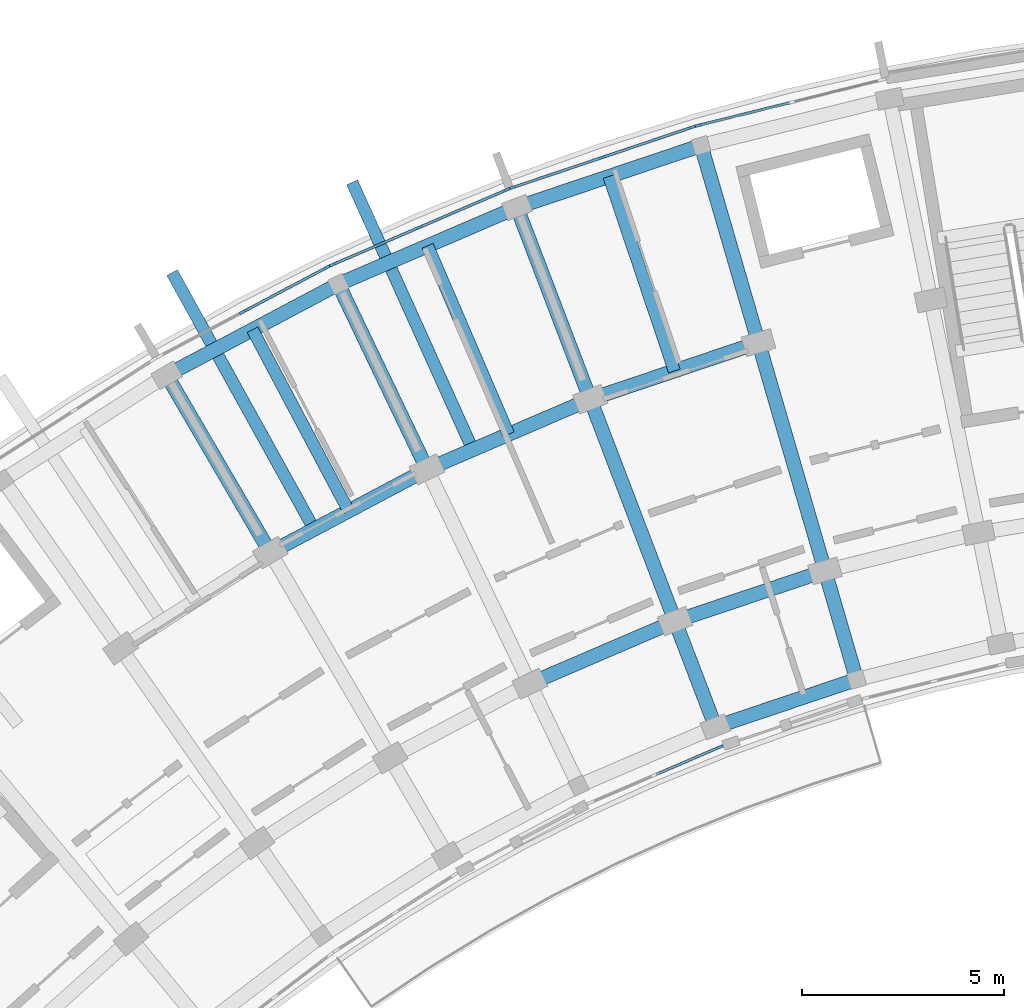
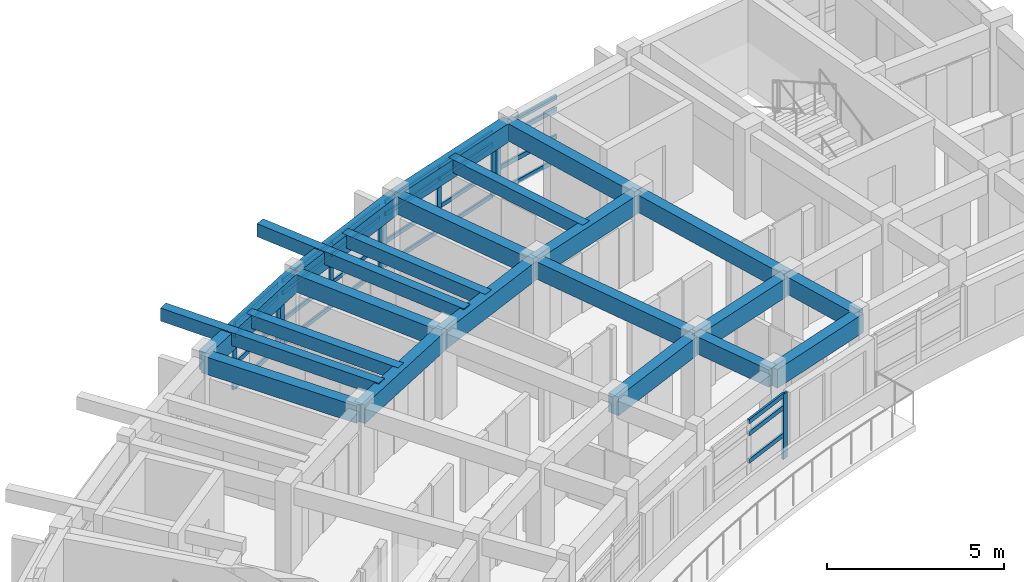
# One storey, part 5 of 54: 37 members, 22 beams, 5 elements without a shape of their own.
"""IFC4 building model written with IfcOpenShell, lengths in metres."""

from ifc_helpers import new_model, si_unit, direction, frame, origin, origin_2d, place, context, subcontext, project, spatial, rectangle, extrude, material, material_profile, profile_set, type_object, element, aggregate, save


model = new_model("IFC4")

# Units and contexts
model_context = context("Model", 3, precision=1e-05, world=origin(), true_north=direction((0.0, 1.0)))
body_context = subcontext(model_context, "Body", "Model", "MODEL_VIEW")
ifc_project = project(units=[si_unit("LENGTHUNIT", "METRE"), si_unit("AREAUNIT", "SQUARE_METRE"), si_unit("VOLUMEUNIT", "CUBIC_METRE"), si_unit("PLANEANGLEUNIT", "RADIAN"), si_unit("MASSUNIT", "GRAM", prefix="KILO")], contexts=[model_context])

# Site, building, storey
site_placement = place(None, origin())
site = spatial("IfcSite", under=ifc_project, at=site_placement, CompositionType="ELEMENT")
building_placement = place(site_placement, origin())
building = spatial("IfcBuilding", under=site, at=building_placement, Name="Zimvara Arc Housing Community", CompositionType="ELEMENT")
storey_placement = place(building_placement, frame((0.0, 0.0, 23.60009765625)))
storey = spatial("IfcBuildingStorey", under=building, at=storey_placement, Name="L07", CompositionType="ELEMENT", Elevation=23.60009765625)

# Beams
ifc_material_1 = material(Name="Concrete C40/50", Category="concrete")
ifc_material_profile_1 = material_profile(ifc_material_1, rectangle(XDim=0.300048828125, YDim=0.449951171875, at=origin_2d()), Name="RC 300x450")
ifc_profile_set_1 = profile_set([ifc_material_profile_1], Name="Concrete C40/50")
beam_type_1 = type_object("IfcBeamType", Name="BM-RC-300x450", PredefinedType="JOIST", material=ifc_profile_set_1)
beam_1_placement = place(storey_placement, frame((19.813232421875, 91.9892578125, 2.635009765625), z_axis=(-0.46853732736, 0.883443701019, 0.0), x_axis=(-0.883443701019, -0.46853732736, 0.0)))
element("IfcBeam", 1, at=beam_1_placement, inside=storey, type_object=beam_type_1, Name="bm:blkA:L07:joist:b4", PredefinedType="JOIST", context=body_context, shape_type="SweptSolid", body=[
    extrude(rectangle(XDim=0.300048828125, YDim=0.449951171875, at=origin_2d()), origin(), (0.0, 0.0, 1.0), 5.07568359375),
])
beam_2_placement = place(storey_placement, frame((23.77197265625, 93.885986328125, 2.635009765625), z_axis=(-0.394929109608, 0.918711596958, 0.0), x_axis=(-0.918711596958, -0.394929109608, 0.0)))
element("IfcBeam", 2, at=beam_2_placement, inside=storey, type_object=beam_type_1, Name="bm:blkA:L07:joist:b5", PredefinedType="JOIST", context=body_context, shape_type="SweptSolid", body=[
    extrude(rectangle(XDim=0.300048828125, YDim=0.449951171875, at=origin_2d()), origin(), (0.0, 0.0, 1.0), 5.075927734375),
])
beam_3_placement = place(storey_placement, frame((27.8720703125, 95.453369140625, 2.635009765625), z_axis=(-0.318607669836, 0.947886677152, 0.0), x_axis=(-0.947886677152, -0.318607669836, 0.0)))
element("IfcBeam", 3, at=beam_3_placement, inside=storey, type_object=beam_type_1, Name="bm:blkA:L07:joist:b6", PredefinedType="JOIST", context=body_context, shape_type="SweptSolid", body=[
    extrude(rectangle(XDim=0.300048828125, YDim=0.449951171875, at=origin_2d()), origin(), (0.0, 0.0, 1.0), 5.07568359375),
])
for number, where, z_axis, x_axis, name in (
    (4, (18.942138671875, 91.568359375, 2.664794921875), (-0.4843274379, 0.874886811477, 0.0), (-0.874886811477, -0.4843274379, 0.0), "bm:blkA:L07:cant_out:b4"),
    (5, (22.869384765625, 93.53759765625, 2.664794921875), (-0.411355676266, 0.91147490783, 0.0), (-0.91147490783, -0.411355676266, 0.0), "bm:blkA:L07:cant_out:b5"),
):
    element("IfcBeam", number, at=place(storey_placement, frame(where, z_axis=z_axis, x_axis=x_axis)), inside=storey, type_object=beam_type_1, Name=name, PredefinedType="JOIST", context=body_context, shape_type="SweptSolid", body=[
        extrude(rectangle(XDim=0.300048828125, YDim=0.449951171875, at=origin_2d()), origin(), (0.0, 0.0, 1.0), 7.219970703125),
    ])
ifc_material_2 = material(Name="Concrete C40/50", Category="concrete")
ifc_material_profile_2 = material_profile(ifc_material_2, rectangle(XDim=0.35009765625, YDim=0.60009765625, at=origin_2d()), Name="RC 350x600")
ifc_profile_set_2 = profile_set([ifc_material_profile_2], Name="Concrete C40/50")
beam_type_2 = type_object("IfcBeamType", Name="BM-RC-350x600", PredefinedType="BEAM", material=ifc_profile_set_2)
beam_4_placement = place(storey_placement, frame((17.87255859375, 90.960205078125, 2.559814453125), z_axis=(-0.504196701544, 0.863588840915, 0.0), x_axis=(-0.863588840915, -0.504196701544, 0.0)))
element("IfcBeam", 6, at=beam_4_placement, inside=storey, type_object=beam_type_2, Name="bm:blkA:L07:rad:b4:r23", PredefinedType="BEAM", context=body_context, shape_type="SweptSolid", body=[
    extrude(rectangle(XDim=0.35009765625, YDim=0.60009765625, at=origin_2d()), origin(), (0.0, 0.0, 1.0), 5.079833984375),
])
beam_5_placement = place(storey_placement, frame((21.75390625, 93.0185546875, 2.559814453125), z_axis=(-0.432098194978, 0.901826563091, 0.0), x_axis=(-0.901826563091, -0.432098194978, 0.0)))
element("IfcBeam", 7, at=beam_5_placement, inside=storey, type_object=beam_type_2, Name="bm:blkA:L07:rad:b5:r23", PredefinedType="BEAM", context=body_context, shape_type="SweptSolid", body=[
    extrude(rectangle(XDim=0.35009765625, YDim=0.60009765625, at=origin_2d()), origin(), (0.0, 0.0, 1.0), 5.080078125),
])
beam_6_placement = place(storey_placement, frame((28.88916015625, 86.645751953125, 2.559814453125), z_axis=(-0.357079289134, 0.934074076972, 0.0), x_axis=(-0.934074076972, -0.357079289134, 0.0)))
element("IfcBeam", 8, at=beam_6_placement, inside=storey, type_object=beam_type_2, Name="bm:blkA:L07:rad:b6:r01", PredefinedType="BEAM", context=body_context, shape_type="SweptSolid", body=[
    extrude(rectangle(XDim=0.35009765625, YDim=0.60009765625, at=origin_2d()), origin(), (0.0, 0.0, 1.0), 2.7998046875),
])
beam_7_placement = place(storey_placement, frame((27.889404296875, 89.260986328125, 2.559814453125), z_axis=(-0.357036247742, 0.934090529766, 0.0), x_axis=(-0.934090529766, -0.357036247742, 0.0)))
element("IfcBeam", 9, at=beam_7_placement, inside=storey, type_object=beam_type_2, Name="bm:blkA:L07:rad:b6:r12", PredefinedType="BEAM", context=body_context, shape_type="SweptSolid", body=[
    extrude(rectangle(XDim=0.35009765625, YDim=0.60009765625, at=origin_2d()), origin(), (0.0, 0.0, 1.0), 5.8798828125),
])
beam_8_placement = place(storey_placement, frame((25.7900390625, 94.75341796875, 2.559814453125), z_axis=(-0.357078271386, 0.934074466038, 0.0), x_axis=(-0.934074466038, -0.357078271386, 0.0)))
element("IfcBeam", 10, at=beam_8_placement, inside=storey, type_object=beam_type_2, Name="bm:blkA:L07:rad:b6:r23", PredefinedType="BEAM", context=body_context, shape_type="SweptSolid", body=[
    extrude(rectangle(XDim=0.35009765625, YDim=0.60009765625, at=origin_2d()), origin(), (0.0, 0.0, 1.0), 5.080078125),
])
beam_9_placement = place(storey_placement, frame((32.381591796875, 87.819580078125, 2.559814453125), z_axis=(-0.279635015525, 0.960106378529, 0.0), x_axis=(-0.960106378529, -0.279635015525, 0.0)))
element("IfcBeam", 11, at=beam_9_placement, inside=storey, type_object=beam_type_2, Name="bm:blkA:L07:rad:b7:r01", PredefinedType="BEAM", context=body_context, shape_type="SweptSolid", body=[
    extrude(rectangle(XDim=0.35009765625, YDim=0.60009765625, at=origin_2d()), origin(), (0.0, 0.0, 1.0), 2.800048828125),
])
beam_10_placement = place(storey_placement, frame((31.5986328125, 90.5078125, 2.559814453125), z_axis=(-0.27967473749, 0.960094808449, 0.0), x_axis=(-0.960094808449, -0.27967473749, 0.0)))
element("IfcBeam", 12, at=beam_10_placement, inside=storey, type_object=beam_type_2, Name="bm:blkA:L07:rad:b7:r12", PredefinedType="BEAM", context=body_context, shape_type="SweptSolid", body=[
    extrude(rectangle(XDim=0.35009765625, YDim=0.60009765625, at=origin_2d()), origin(), (0.0, 0.0, 1.0), 5.880126953125),
])
beam_11_placement = place(storey_placement, frame((29.9541015625, 96.1533203125, 2.559814453125), z_axis=(-0.279662254096, 0.960098444762, 0.0), x_axis=(-0.960098444762, -0.279662254096, 0.0)))
element("IfcBeam", 13, at=beam_11_placement, inside=storey, type_object=beam_type_2, Name="bm:blkA:L07:rad:b7:r23", PredefinedType="BEAM", context=body_context, shape_type="SweptSolid", body=[
    extrude(rectangle(XDim=0.35009765625, YDim=0.60009765625, at=origin_2d()), origin(), (0.0, 0.0, 1.0), 5.079833984375),
])
ifc_material_3 = material(Name="Concrete C40/50", Category="concrete")
ifc_material_profile_3 = material_profile(ifc_material_3, rectangle(XDim=0.35009765625, YDim=0.64990234375, at=origin_2d()), Name="RC 350x650")
ifc_profile_set_3 = profile_set([ifc_material_profile_3], Name="Concrete C40/50")
beam_type_3 = type_object("IfcBeamType", Name="BM-RC-350x650", PredefinedType="BEAM", material=ifc_profile_set_3)
beam_12_placement = place(storey_placement, frame((28.88916015625, 86.645751953125, 2.534912109375), z_axis=(0.94789181932, 0.31859237101, 0.0), x_axis=(-0.31859237101, 0.94789181932, 0.0)))
element("IfcBeam", 14, at=beam_12_placement, inside=storey, type_object=beam_type_3, Name="bm:blkA:L07:chord:r0:b6", PredefinedType="BEAM", context=body_context, shape_type="SweptSolid", body=[
    extrude(rectangle(XDim=0.35009765625, YDim=0.64990234375, at=origin_2d()), origin(), (0.0, 0.0, 1.0), 3.684326171875),
])
for number, where, z_axis, x_axis, name in (
    (15, (24.29443359375, 87.7158203125, 2.534912109375), (0.91873144242, 0.394882940514, 0.0), (-0.394882940514, 0.91873144242, 0.0), "bm:blkA:L07:chord:r1:b5"),
    (16, (27.889404296875, 89.260986328125, 2.534912109375), (0.947881689069, 0.31862250945, 0.0), (-0.31862250945, 0.947881689069, 0.0), "bm:blkA:L07:chord:r1:b6"),
):
    element("IfcBeam", number, at=place(storey_placement, frame(where, z_axis=z_axis, x_axis=x_axis)), inside=storey, type_object=beam_type_3, Name=name, PredefinedType="BEAM", context=body_context, shape_type="SweptSolid", body=[
        extrude(rectangle(XDim=0.35009765625, YDim=0.64990234375, at=origin_2d()), origin(), (0.0, 0.0, 1.0), 3.9130859375),
    ])
for number, where, z_axis, x_axis, name in (
    (17, (17.87255859375, 90.960205078125, 2.534912109375), (0.883456526058, 0.468513144496, 0.0), (-0.468513144496, 0.883456526058, 0.0), "bm:blkA:L07:chord:r2:b4"),
    (18, (21.75390625, 93.0185546875, 2.534912109375), (0.918724840088, 0.394898301093, 0.0), (-0.394898301093, 0.918724840088, 0.0), "bm:blkA:L07:chord:r2:b5"),
):
    element("IfcBeam", number, at=place(storey_placement, frame(where, z_axis=z_axis, x_axis=x_axis)), inside=storey, type_object=beam_type_3, Name=name, PredefinedType="BEAM", context=body_context, shape_type="SweptSolid", body=[
        extrude(rectangle(XDim=0.35009765625, YDim=0.64990234375, at=origin_2d()), origin(), (0.0, 0.0, 1.0), 4.393310546875),
    ])
beam_13_placement = place(storey_placement, frame((25.7900390625, 94.75341796875, 2.534912109375), z_axis=(0.947868796036, 0.318660862832, 0.0), x_axis=(-0.318660862832, 0.947868796036, 0.0)))
element("IfcBeam", 19, at=beam_13_placement, inside=storey, type_object=beam_type_3, Name="bm:blkA:L07:chord:r2:b6", PredefinedType="BEAM", context=body_context, shape_type="SweptSolid", body=[
    extrude(rectangle(XDim=0.35009765625, YDim=0.64990234375, at=origin_2d()), origin(), (0.0, 0.0, 1.0), 4.39306640625),
])
beam_14_placement = place(storey_placement, frame((15.311279296875, 95.34716796875, 2.534912109375), z_axis=(0.883445542299, 0.468533855546, 0.0), x_axis=(-0.468533855546, 0.883445542299, 0.0)))
element("IfcBeam", 20, at=beam_14_placement, inside=storey, type_object=beam_type_3, Name="bm:blkA:L07:chord:r3:b4", PredefinedType="BEAM", context=body_context, shape_type="SweptSolid", body=[
    extrude(rectangle(XDim=0.35009765625, YDim=0.64990234375, at=origin_2d()), origin(), (0.0, 0.0, 1.0), 4.807861328125),
])
beam_15_placement = place(storey_placement, frame((19.558837890625, 97.599853515625, 2.534912109375), z_axis=(0.918724276228, 0.394899612901, 0.0), x_axis=(-0.394899612901, 0.918724276228, 0.0)))
element("IfcBeam", 21, at=beam_15_placement, inside=storey, type_object=beam_type_3, Name="bm:blkA:L07:chord:r3:b5", PredefinedType="BEAM", context=body_context, shape_type="SweptSolid", body=[
    extrude(rectangle(XDim=0.35009765625, YDim=0.64990234375, at=origin_2d()), origin(), (0.0, 0.0, 1.0), 4.80810546875),
])
beam_16_placement = place(storey_placement, frame((23.97607421875, 99.49853515625, 2.534912109375), z_axis=(0.947877948153, 0.31863363822, 0.0), x_axis=(-0.31863363822, 0.947877948153, 0.0)))
element("IfcBeam", 22, at=beam_16_placement, inside=storey, type_object=beam_type_3, Name="bm:blkA:L07:chord:r3:b6", PredefinedType="BEAM", context=body_context, shape_type="SweptSolid", body=[
    extrude(rectangle(XDim=0.35009765625, YDim=0.64990234375, at=origin_2d()), origin(), (0.0, 0.0, 1.0), 4.807861328125),
])

# Curtain wall, members
ifc_material_4 = material(Name="Anodised Aluminium AW-6063", Category="aluminium")
curtain_wall_type_1 = type_object("IfcCurtainWallType", Name="CW-SYS-06", PredefinedType="USERDEFINED", material=ifc_material_4)
curtain_wall_1_placement = place(storey_placement, origin())
curtain_wall_1 = element("IfcCurtainWall", 23, at=curtain_wall_1_placement, inside=storey, type_object=curtain_wall_type_1, Name="cw:blkA:L07:out:b5", ObjectType="CURTAIN WALL", PredefinedType="USERDEFINED")
ifc_material_5 = material(Name="Anodised Aluminium AW-6063", Category="aluminium")
ifc_material_profile_4 = material_profile(ifc_material_5, rectangle(XDim=0.06494140625, YDim=0.179931640625, at=origin_2d()), Name="ALU 65x180")
ifc_profile_set_4 = profile_set([ifc_material_profile_4], Name="Anodised Aluminium AW-6063")
member_type_1 = type_object("IfcMemberType", Name="CWM-65x150", PredefinedType="MULLION", material=ifc_profile_set_4)
member_1_placement = place(storey_placement, frame((19.427734375, 98.08740234375, 0.0), z_axis=(0.0, 0.0, 1.0), x_axis=(-0.394904211998, 0.918722299363, 0.0)))
member_1 = element("IfcMember", 24, at=member_1_placement, type_object=member_type_1, Name="CW06 mullion 1", PredefinedType="MULLION", context=body_context, shape_type="SweptSolid", body=[
    extrude(rectangle(XDim=0.06494140625, YDim=0.179931640625, at=origin_2d()), origin(), (0.0, 0.0, 1.0), 2.25),
])
member_2_placement = place(storey_placement, frame((21.570068359375, 99.00830078125, 0.0), z_axis=(0.0, 0.0, 1.0), x_axis=(-0.394904211998, 0.918722299363, 0.0)))
member_2 = element("IfcMember", 25, at=member_2_placement, type_object=member_type_1, Name="CW06 mullion 2", PredefinedType="MULLION", context=body_context, shape_type="SweptSolid", body=[
    extrude(rectangle(XDim=0.06494140625, YDim=0.179931640625, at=origin_2d()), origin(), (0.0, 0.0, 1.0), 2.25),
])
member_3_placement = place(storey_placement, frame((23.712646484375, 99.92919921875, 0.0), z_axis=(0.0, 0.0, 1.0), x_axis=(-0.394904211998, 0.918722299363, 0.0)))
member_3 = element("IfcMember", 26, at=member_3_placement, type_object=member_type_1, Name="CW06 mullion 3", PredefinedType="MULLION", context=body_context, shape_type="SweptSolid", body=[
    extrude(rectangle(XDim=0.06494140625, YDim=0.179931640625, at=origin_2d()), origin(), (0.0, 0.0, 1.0), 2.25),
])

ifc_material_6 = material(Name="Anodised Aluminium AW-6063", Category="aluminium")
curtain_wall_type_2 = type_object("IfcCurtainWallType", Name="CW-SYS-08", PredefinedType="USERDEFINED", material=ifc_material_6)
curtain_wall_2_placement = place(storey_placement, origin())
curtain_wall_2 = element("IfcCurtainWall", 27, at=curtain_wall_2_placement, inside=storey, type_object=curtain_wall_type_2, Name="cw:blkA:L07:out:b6", ObjectType="CURTAIN WALL", PredefinedType="USERDEFINED")
member_4_placement = place(storey_placement, frame((23.88525390625, 99.9951171875, 0.0), z_axis=(0.0, 0.0, 1.0), x_axis=(-0.318628583921, 0.947879647164, 0.0)))
member_4 = element("IfcMember", 28, at=member_4_placement, type_object=member_type_1, Name="CW08 mullion 1", PredefinedType="MULLION", context=body_context, shape_type="SweptSolid", body=[
    extrude(rectangle(XDim=0.06494140625, YDim=0.179931640625, at=origin_2d()), origin(), (0.0, 0.0, 1.0), 2.25),
])
member_5_placement = place(storey_placement, frame((26.095703125, 100.73828125, 0.0), z_axis=(0.0, 0.0, 1.0), x_axis=(-0.318628583921, 0.947879647164, 0.0)))
member_5 = element("IfcMember", 29, at=member_5_placement, type_object=member_type_1, Name="CW08 mullion 2", PredefinedType="MULLION", context=body_context, shape_type="SweptSolid", body=[
    extrude(rectangle(XDim=0.06494140625, YDim=0.179931640625, at=origin_2d()), origin(), (0.0, 0.0, 1.0), 2.25),
])
member_6_placement = place(storey_placement, frame((28.305908203125, 101.481201171875, 0.0), z_axis=(0.0, 0.0, 1.0), x_axis=(-0.318628583921, 0.947879647164, 0.0)))
member_6 = element("IfcMember", 30, at=member_6_placement, type_object=member_type_1, Name="CW08 mullion 3", PredefinedType="MULLION", context=body_context, shape_type="SweptSolid", body=[
    extrude(rectangle(XDim=0.06494140625, YDim=0.179931640625, at=origin_2d()), origin(), (0.0, 0.0, 1.0), 2.25),
])

ifc_material_7 = material(Name="Anodised Aluminium AW-6063", Category="aluminium")
curtain_wall_type_3 = type_object("IfcCurtainWallType", Name="CW-SYS-05", PredefinedType="USERDEFINED", material=ifc_material_7)
curtain_wall_3_placement = place(storey_placement, origin())
curtain_wall_3 = element("IfcCurtainWall", 31, at=curtain_wall_3_placement, inside=storey, type_object=curtain_wall_type_3, Name="cw:blkA:L07:out:b4", ObjectType="CURTAIN WALL", PredefinedType="USERDEFINED")
ifc_material_8 = material(Name="Anodised Aluminium AW-6063", Category="aluminium")
ifc_material_profile_5 = material_profile(ifc_material_8, rectangle(XDim=0.06494140625, YDim=0.195068359375, at=origin_2d()), Name="ALU 65x195")
ifc_profile_set_5 = profile_set([ifc_material_profile_5], Name="Anodised Aluminium AW-6063")
member_type_2 = type_object("IfcMemberType", Name="CWM-65x180", PredefinedType="MULLION", material=ifc_profile_set_5)
member_7_placement = place(storey_placement, frame((17.200927734375, 96.914794921875, 0.0), z_axis=(0.0, 0.0, 1.0), x_axis=(-0.468546917761, 0.883438614651, 0.0)))
member_7 = element("IfcMember", 32, at=member_7_placement, type_object=member_type_2, Name="CW05 mullion 2", PredefinedType="MULLION", context=body_context, shape_type="SweptSolid", body=[
    extrude(rectangle(XDim=0.06494140625, YDim=0.195068359375, at=origin_2d()), origin(), (0.0, 0.0, 1.0), 2.25),
])
member_8_placement = place(storey_placement, frame((19.260986328125, 98.007568359375, 0.0), z_axis=(0.0, 0.0, 1.0), x_axis=(-0.468546917761, 0.883438614651, 0.0)))
member_8 = element("IfcMember", 33, at=member_8_placement, type_object=member_type_2, Name="CW05 mullion 3", PredefinedType="MULLION", context=body_context, shape_type="SweptSolid", body=[
    extrude(rectangle(XDim=0.06494140625, YDim=0.195068359375, at=origin_2d()), origin(), (0.0, 0.0, 1.0), 2.25),
])

# Curtain wall, member
ifc_material_9 = material(Name="Anodised Aluminium AW-6063", Category="aluminium")
curtain_wall_type_4 = type_object("IfcCurtainWallType", Name="CW-SYS-07", PredefinedType="USERDEFINED", material=ifc_material_9)
curtain_wall_4_placement = place(storey_placement, origin())
curtain_wall_4 = element("IfcCurtainWall", 34, at=curtain_wall_4_placement, inside=storey, type_object=curtain_wall_type_4, Name="cw:blkA:L07:in:b5", ObjectType="CURTAIN WALL", PredefinedType="USERDEFINED")
member_9_placement = place(storey_placement, frame((28.98291015625, 86.14208984375, 0.0), z_axis=(0.0, 0.0, 1.0), x_axis=(-0.394904493375, 0.918722178415, 0.0)))
member_9 = element("IfcMember", 35, at=member_9_placement, type_object=member_type_2, Name="CW07 mullion 3", PredefinedType="MULLION", context=body_context, shape_type="SweptSolid", body=[
    extrude(rectangle(XDim=0.06494140625, YDim=0.195068359375, at=origin_2d()), origin(), (0.0, 0.0, 1.0), 2.25),
])

ifc_material_10 = material(Name="Anodised Aluminium AW-6063", Category="aluminium")
curtain_wall_type_5 = type_object("IfcCurtainWallType", Name="CW-SYS-01", PredefinedType="USERDEFINED", material=ifc_material_10)
curtain_wall_5_placement = place(storey_placement, origin())
curtain_wall_5 = element("IfcCurtainWall", 36, at=curtain_wall_5_placement, inside=storey, type_object=curtain_wall_type_5, Name="cw:blkA:L07:out:b7", ObjectType="CURTAIN WALL", PredefinedType="USERDEFINED")
member_10_placement = place(storey_placement, frame((28.4833984375, 101.532958984375, 0.0), z_axis=(0.0, 0.0, 1.0), x_axis=(-0.240229711131, 0.970716068627, 0.0)))
member_10 = element("IfcMember", 37, at=member_10_placement, type_object=member_type_2, Name="CW01 mullion 1", PredefinedType="MULLION", context=body_context, shape_type="SweptSolid", body=[
    extrude(rectangle(XDim=0.06494140625, YDim=0.195068359375, at=origin_2d()), origin(), (0.0, 0.0, 1.0), 2.25),
])

# Member
ifc_material_11 = material(Name="Anodised Aluminium AW-6063", Category="aluminium")
ifc_material_profile_6 = material_profile(ifc_material_11, rectangle(XDim=0.06494140625, YDim=0.139892578125, at=origin_2d()), Name="ALU 65x140")
ifc_profile_set_6 = profile_set([ifc_material_profile_6], Name="Anodised Aluminium AW-6063")
member_type_3 = type_object("IfcMemberType", Name="CWT-65x120", PredefinedType="USERDEFINED", material=ifc_profile_set_6)
member_11_placement = place(storey_placement, frame((19.45751953125, 98.10009765625, 0.032470703125), z_axis=(0.918721157939, 0.394906867444, 0.0), x_axis=(-0.394906867444, 0.918721157939, 0.0)))
member_11 = element("IfcMember", 38, at=member_11_placement, type_object=member_type_3, Name="CW06 transom 1.1", ObjectType="TRANSOM", PredefinedType="USERDEFINED", context=body_context, shape_type="SweptSolid", body=[
    extrude(rectangle(XDim=0.06494140625, YDim=0.139892578125, at=origin_2d()), origin(), (0.0, 0.0, 1.0), 2.26708984375),
])

member_12_placement = place(storey_placement, frame((19.45751953125, 98.10009765625, 0.849853515625), z_axis=(0.918721157939, 0.394906867444, 0.0), x_axis=(-0.394906867444, 0.918721157939, 0.0)))
member_12 = element("IfcMember", 39, at=member_12_placement, type_object=member_type_3, Name="CW06 transom 1.2", ObjectType="TRANSOM", PredefinedType="USERDEFINED", context=body_context, shape_type="SweptSolid", body=[
    extrude(rectangle(XDim=0.06494140625, YDim=0.139892578125, at=origin_2d()), origin(), (0.0, 0.0, 1.0), 2.26708984375),
])

member_13_placement = place(storey_placement, frame((19.45751953125, 98.10009765625, 1.7998046875), z_axis=(0.918721157939, 0.394906867444, 0.0), x_axis=(-0.394906867444, 0.918721157939, 0.0)))
member_13 = element("IfcMember", 40, at=member_13_placement, type_object=member_type_3, Name="CW06 transom 1.3", ObjectType="TRANSOM", PredefinedType="USERDEFINED", context=body_context, shape_type="SweptSolid", body=[
    extrude(rectangle(XDim=0.06494140625, YDim=0.139892578125, at=origin_2d()), origin(), (0.0, 0.0, 1.0), 2.26708984375),
])

member_14_placement = place(storey_placement, frame((19.45751953125, 98.10009765625, 2.21728515625), z_axis=(0.918721157939, 0.394906867444, 0.0), x_axis=(-0.394906867444, 0.918721157939, 0.0)))
member_14 = element("IfcMember", 41, at=member_14_placement, type_object=member_type_3, Name="CW06 transom 1.4", ObjectType="TRANSOM", PredefinedType="USERDEFINED", context=body_context, shape_type="SweptSolid", body=[
    extrude(rectangle(XDim=0.06494140625, YDim=0.139892578125, at=origin_2d()), origin(), (0.0, 0.0, 1.0), 2.26708984375),
])

member_15_placement = place(storey_placement, frame((21.60009765625, 99.02099609375, 0.032470703125), z_axis=(0.918704360712, 0.394945942641, 0.0), x_axis=(-0.394945942641, 0.918704360712, 0.0)))
member_15 = element("IfcMember", 42, at=member_15_placement, type_object=member_type_3, Name="CW06 transom 2.1", ObjectType="TRANSOM", PredefinedType="USERDEFINED", context=body_context, shape_type="SweptSolid", body=[
    extrude(rectangle(XDim=0.06494140625, YDim=0.139892578125, at=origin_2d()), origin(), (0.0, 0.0, 1.0), 2.266845703125),
])

member_16_placement = place(storey_placement, frame((21.60009765625, 99.02099609375, 0.849853515625), z_axis=(0.918704360712, 0.394945942641, 0.0), x_axis=(-0.394945942641, 0.918704360712, 0.0)))
member_16 = element("IfcMember", 43, at=member_16_placement, type_object=member_type_3, Name="CW06 transom 2.2", ObjectType="TRANSOM", PredefinedType="USERDEFINED", context=body_context, shape_type="SweptSolid", body=[
    extrude(rectangle(XDim=0.06494140625, YDim=0.139892578125, at=origin_2d()), origin(), (0.0, 0.0, 1.0), 2.266845703125),
])

member_17_placement = place(storey_placement, frame((21.60009765625, 99.02099609375, 1.7998046875), z_axis=(0.918704360712, 0.394945942641, 0.0), x_axis=(-0.394945942641, 0.918704360712, 0.0)))
member_17 = element("IfcMember", 44, at=member_17_placement, type_object=member_type_3, Name="CW06 transom 2.3", ObjectType="TRANSOM", PredefinedType="USERDEFINED", context=body_context, shape_type="SweptSolid", body=[
    extrude(rectangle(XDim=0.06494140625, YDim=0.139892578125, at=origin_2d()), origin(), (0.0, 0.0, 1.0), 2.266845703125),
])

member_18_placement = place(storey_placement, frame((21.60009765625, 99.02099609375, 2.21728515625), z_axis=(0.918704360712, 0.394945942641, 0.0), x_axis=(-0.394945942641, 0.918704360712, 0.0)))
member_18 = element("IfcMember", 45, at=member_18_placement, type_object=member_type_3, Name="CW06 transom 2.4", ObjectType="TRANSOM", PredefinedType="USERDEFINED", context=body_context, shape_type="SweptSolid", body=[
    extrude(rectangle(XDim=0.06494140625, YDim=0.139892578125, at=origin_2d()), origin(), (0.0, 0.0, 1.0), 2.266845703125),
])

aggregate(curtain_wall_1, [member_1, member_2, member_3, member_11, member_12, member_13, member_14, member_15, member_16, member_17, member_18])

member_19_placement = place(storey_placement, frame((23.916015625, 100.00537109375, 0.032470703125), z_axis=(0.947861605379, 0.318682250916, 0.0), x_axis=(-0.318682250916, 0.947861605379, 0.0)))
member_19 = element("IfcMember", 46, at=member_19_placement, type_object=member_type_3, Name="CW08 transom 1.1", ObjectType="TRANSOM", PredefinedType="USERDEFINED", context=body_context, shape_type="SweptSolid", body=[
    extrude(rectangle(XDim=0.06494140625, YDim=0.139892578125, at=origin_2d()), origin(), (0.0, 0.0, 1.0), 2.266845703125),
])

member_20_placement = place(storey_placement, frame((23.916015625, 100.00537109375, 0.849853515625), z_axis=(0.947861605379, 0.318682250916, 0.0), x_axis=(-0.318682250916, 0.947861605379, 0.0)))
member_20 = element("IfcMember", 47, at=member_20_placement, type_object=member_type_3, Name="CW08 transom 1.2", ObjectType="TRANSOM", PredefinedType="USERDEFINED", context=body_context, shape_type="SweptSolid", body=[
    extrude(rectangle(XDim=0.06494140625, YDim=0.139892578125, at=origin_2d()), origin(), (0.0, 0.0, 1.0), 2.266845703125),
])

member_21_placement = place(storey_placement, frame((23.916015625, 100.00537109375, 1.7998046875), z_axis=(0.947861605379, 0.318682250916, 0.0), x_axis=(-0.318682250916, 0.947861605379, 0.0)))
member_21 = element("IfcMember", 48, at=member_21_placement, type_object=member_type_3, Name="CW08 transom 1.3", ObjectType="TRANSOM", PredefinedType="USERDEFINED", context=body_context, shape_type="SweptSolid", body=[
    extrude(rectangle(XDim=0.06494140625, YDim=0.139892578125, at=origin_2d()), origin(), (0.0, 0.0, 1.0), 2.266845703125),
])

member_22_placement = place(storey_placement, frame((23.916015625, 100.00537109375, 2.21728515625), z_axis=(0.947861605379, 0.318682250916, 0.0), x_axis=(-0.318682250916, 0.947861605379, 0.0)))
member_22 = element("IfcMember", 49, at=member_22_placement, type_object=member_type_3, Name="CW08 transom 1.4", ObjectType="TRANSOM", PredefinedType="USERDEFINED", context=body_context, shape_type="SweptSolid", body=[
    extrude(rectangle(XDim=0.06494140625, YDim=0.139892578125, at=origin_2d()), origin(), (0.0, 0.0, 1.0), 2.266845703125),
])

member_23_placement = place(storey_placement, frame((26.12646484375, 100.74853515625, 0.032470703125), z_axis=(0.947861605379, 0.318682250916, 0.0), x_axis=(-0.318682250916, 0.947861605379, 0.0)))
member_23 = element("IfcMember", 50, at=member_23_placement, type_object=member_type_3, Name="CW08 transom 2.1", ObjectType="TRANSOM", PredefinedType="USERDEFINED", context=body_context, shape_type="SweptSolid", body=[
    extrude(rectangle(XDim=0.06494140625, YDim=0.139892578125, at=origin_2d()), origin(), (0.0, 0.0, 1.0), 2.266845703125),
])

member_24_placement = place(storey_placement, frame((26.12646484375, 100.74853515625, 0.849853515625), z_axis=(0.947861605379, 0.318682250916, 0.0), x_axis=(-0.318682250916, 0.947861605379, 0.0)))
member_24 = element("IfcMember", 51, at=member_24_placement, type_object=member_type_3, Name="CW08 transom 2.2", ObjectType="TRANSOM", PredefinedType="USERDEFINED", context=body_context, shape_type="SweptSolid", body=[
    extrude(rectangle(XDim=0.06494140625, YDim=0.139892578125, at=origin_2d()), origin(), (0.0, 0.0, 1.0), 2.266845703125),
])

member_25_placement = place(storey_placement, frame((26.12646484375, 100.74853515625, 1.7998046875), z_axis=(0.947861605379, 0.318682250916, 0.0), x_axis=(-0.318682250916, 0.947861605379, 0.0)))
member_25 = element("IfcMember", 52, at=member_25_placement, type_object=member_type_3, Name="CW08 transom 2.3", ObjectType="TRANSOM", PredefinedType="USERDEFINED", context=body_context, shape_type="SweptSolid", body=[
    extrude(rectangle(XDim=0.06494140625, YDim=0.139892578125, at=origin_2d()), origin(), (0.0, 0.0, 1.0), 2.266845703125),
])

member_26_placement = place(storey_placement, frame((26.12646484375, 100.74853515625, 2.21728515625), z_axis=(0.947861605379, 0.318682250916, 0.0), x_axis=(-0.318682250916, 0.947861605379, 0.0)))
member_26 = element("IfcMember", 53, at=member_26_placement, type_object=member_type_3, Name="CW08 transom 2.4", ObjectType="TRANSOM", PredefinedType="USERDEFINED", context=body_context, shape_type="SweptSolid", body=[
    extrude(rectangle(XDim=0.06494140625, YDim=0.139892578125, at=origin_2d()), origin(), (0.0, 0.0, 1.0), 2.266845703125),
])

aggregate(curtain_wall_2, [member_4, member_5, member_6, member_19, member_20, member_21, member_22, member_23, member_24, member_25, member_26])

ifc_material_12 = material(Name="Anodised Aluminium AW-6063", Category="aluminium")
ifc_material_profile_7 = material_profile(ifc_material_12, rectangle(XDim=0.06494140625, YDim=0.155029296875, at=origin_2d()), Name="ALU 65x155")
ifc_profile_set_7 = profile_set([ifc_material_profile_7], Name="Anodised Aluminium AW-6063")
member_type_4 = type_object("IfcMemberType", Name="CWT-65x140", PredefinedType="USERDEFINED", material=ifc_profile_set_7)
member_27_placement = place(storey_placement, frame((17.2294921875, 96.93017578125, 0.032470703125), z_axis=(0.883489114766, 0.468451688107, 0.0), x_axis=(-0.468451688107, 0.883489114766, 0.0)))
member_27 = element("IfcMember", 54, at=member_27_placement, type_object=member_type_4, Name="CW05 transom 2.1", ObjectType="TRANSOM", PredefinedType="USERDEFINED", context=body_context, shape_type="SweptSolid", body=[
    extrude(rectangle(XDim=0.06494140625, YDim=0.155029296875, at=origin_2d()), origin(), (0.0, 0.0, 1.0), 2.26708984375),
])

member_28_placement = place(storey_placement, frame((17.2294921875, 96.93017578125, 0.849853515625), z_axis=(0.883489114766, 0.468451688107, 0.0), x_axis=(-0.468451688107, 0.883489114766, 0.0)))
member_28 = element("IfcMember", 55, at=member_28_placement, type_object=member_type_4, Name="CW05 transom 2.2", ObjectType="TRANSOM", PredefinedType="USERDEFINED", context=body_context, shape_type="SweptSolid", body=[
    extrude(rectangle(XDim=0.06494140625, YDim=0.155029296875, at=origin_2d()), origin(), (0.0, 0.0, 1.0), 2.26708984375),
])

member_29_placement = place(storey_placement, frame((17.2294921875, 96.93017578125, 1.7998046875), z_axis=(0.883489114766, 0.468451688107, 0.0), x_axis=(-0.468451688107, 0.883489114766, 0.0)))
member_29 = element("IfcMember", 56, at=member_29_placement, type_object=member_type_4, Name="CW05 transom 2.3", ObjectType="TRANSOM", PredefinedType="USERDEFINED", context=body_context, shape_type="SweptSolid", body=[
    extrude(rectangle(XDim=0.06494140625, YDim=0.155029296875, at=origin_2d()), origin(), (0.0, 0.0, 1.0), 2.26708984375),
])

member_30_placement = place(storey_placement, frame((17.2294921875, 96.93017578125, 2.21728515625), z_axis=(0.883489114766, 0.468451688107, 0.0), x_axis=(-0.468451688107, 0.883489114766, 0.0)))
member_30 = element("IfcMember", 57, at=member_30_placement, type_object=member_type_4, Name="CW05 transom 2.4", ObjectType="TRANSOM", PredefinedType="USERDEFINED", context=body_context, shape_type="SweptSolid", body=[
    extrude(rectangle(XDim=0.06494140625, YDim=0.155029296875, at=origin_2d()), origin(), (0.0, 0.0, 1.0), 2.26708984375),
])

aggregate(curtain_wall_3, [member_7, member_8, member_27, member_28, member_29, member_30])

member_31_placement = place(storey_placement, frame((27.423828125, 85.471923828125, 0.849853515625), z_axis=(0.918673978315, 0.395016609229, 0.0), x_axis=(-0.395016609229, 0.918673978315, 0.0)))
member_31 = element("IfcMember", 58, at=member_31_placement, type_object=member_type_4, Name="CW07 transom 2.2", ObjectType="TRANSOM", PredefinedType="USERDEFINED", context=body_context, shape_type="SweptSolid", body=[
    extrude(rectangle(XDim=0.06494140625, YDim=0.155029296875, at=origin_2d()), origin(), (0.0, 0.0, 1.0), 1.664306640625),
])

member_32_placement = place(storey_placement, frame((27.423828125, 85.471923828125, 1.7998046875), z_axis=(0.918673978315, 0.395016609229, 0.0), x_axis=(-0.395016609229, 0.918673978315, 0.0)))
member_32 = element("IfcMember", 59, at=member_32_placement, type_object=member_type_4, Name="CW07 transom 2.3", ObjectType="TRANSOM", PredefinedType="USERDEFINED", context=body_context, shape_type="SweptSolid", body=[
    extrude(rectangle(XDim=0.06494140625, YDim=0.155029296875, at=origin_2d()), origin(), (0.0, 0.0, 1.0), 1.664306640625),
])

member_33_placement = place(storey_placement, frame((27.423828125, 85.471923828125, 2.21728515625), z_axis=(0.918673978315, 0.395016609229, 0.0), x_axis=(-0.395016609229, 0.918673978315, 0.0)))
member_33 = element("IfcMember", 60, at=member_33_placement, type_object=member_type_4, Name="CW07 transom 2.4", ObjectType="TRANSOM", PredefinedType="USERDEFINED", context=body_context, shape_type="SweptSolid", body=[
    extrude(rectangle(XDim=0.06494140625, YDim=0.155029296875, at=origin_2d()), origin(), (0.0, 0.0, 1.0), 1.664306640625),
])

aggregate(curtain_wall_4, [member_9, member_31, member_32, member_33])

member_34_placement = place(storey_placement, frame((28.51513671875, 101.540771484375, 0.032470703125), z_axis=(0.970728837212, 0.240178110172, 0.0), x_axis=(-0.240178110172, 0.970728837212, 0.0)))
member_34 = element("IfcMember", 61, at=member_34_placement, type_object=member_type_4, Name="CW01 transom 1.1", ObjectType="TRANSOM", PredefinedType="USERDEFINED", context=body_context, shape_type="SweptSolid", body=[
    extrude(rectangle(XDim=0.06494140625, YDim=0.155029296875, at=origin_2d()), origin(), (0.0, 0.0, 1.0), 2.266845703125),
])

member_35_placement = place(storey_placement, frame((28.51513671875, 101.540771484375, 0.849853515625), z_axis=(0.970728837212, 0.240178110172, 0.0), x_axis=(-0.240178110172, 0.970728837212, 0.0)))
member_35 = element("IfcMember", 62, at=member_35_placement, type_object=member_type_4, Name="CW01 transom 1.2", ObjectType="TRANSOM", PredefinedType="USERDEFINED", context=body_context, shape_type="SweptSolid", body=[
    extrude(rectangle(XDim=0.06494140625, YDim=0.155029296875, at=origin_2d()), origin(), (0.0, 0.0, 1.0), 2.266845703125),
])

member_36_placement = place(storey_placement, frame((28.51513671875, 101.540771484375, 1.7998046875), z_axis=(0.970728837212, 0.240178110172, 0.0), x_axis=(-0.240178110172, 0.970728837212, 0.0)))
member_36 = element("IfcMember", 63, at=member_36_placement, type_object=member_type_4, Name="CW01 transom 1.3", ObjectType="TRANSOM", PredefinedType="USERDEFINED", context=body_context, shape_type="SweptSolid", body=[
    extrude(rectangle(XDim=0.06494140625, YDim=0.155029296875, at=origin_2d()), origin(), (0.0, 0.0, 1.0), 2.266845703125),
])

member_37_placement = place(storey_placement, frame((28.51513671875, 101.540771484375, 2.21728515625), z_axis=(0.970728837212, 0.240178110172, 0.0), x_axis=(-0.240178110172, 0.970728837212, 0.0)))
member_37 = element("IfcMember", 64, at=member_37_placement, type_object=member_type_4, Name="CW01 transom 1.4", ObjectType="TRANSOM", PredefinedType="USERDEFINED", context=body_context, shape_type="SweptSolid", body=[
    extrude(rectangle(XDim=0.06494140625, YDim=0.155029296875, at=origin_2d()), origin(), (0.0, 0.0, 1.0), 2.266845703125),
])

aggregate(curtain_wall_5, [member_10, member_34, member_35, member_36, member_37])

save(model, "model.ifc")
